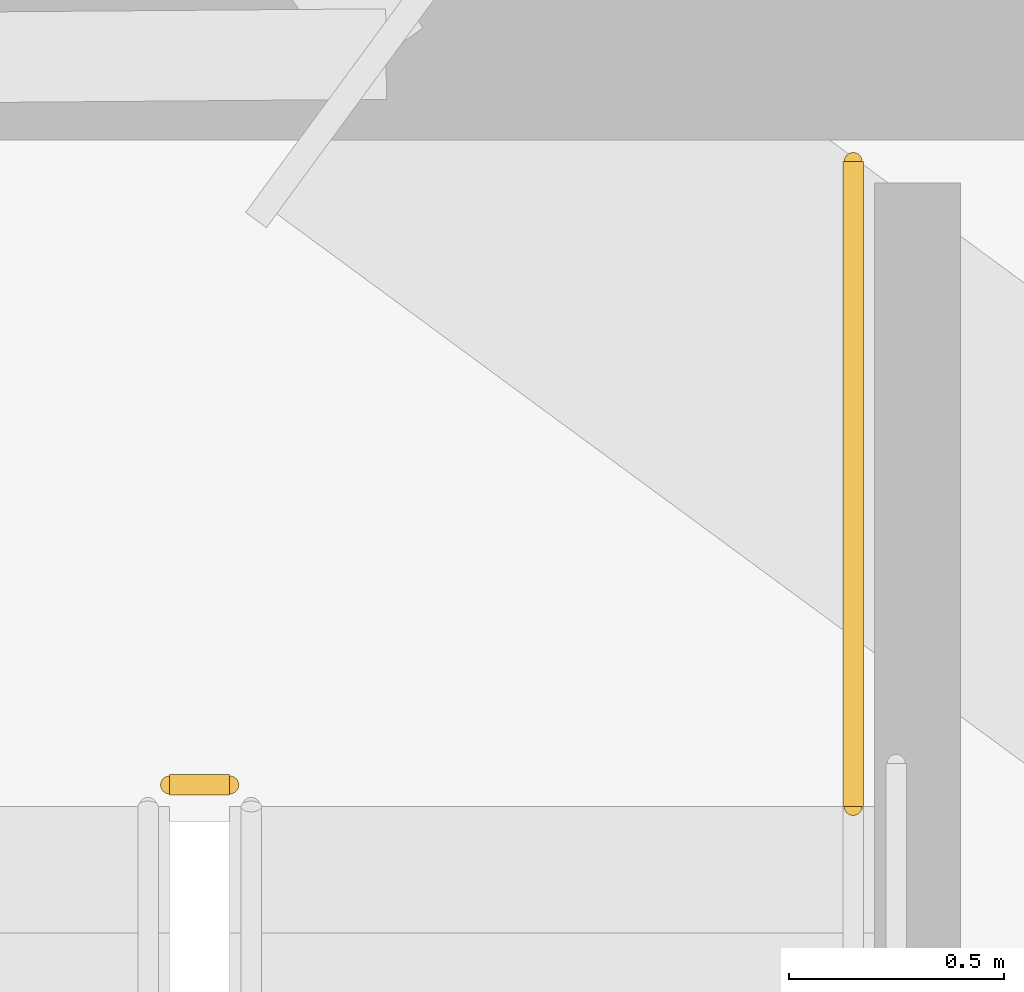
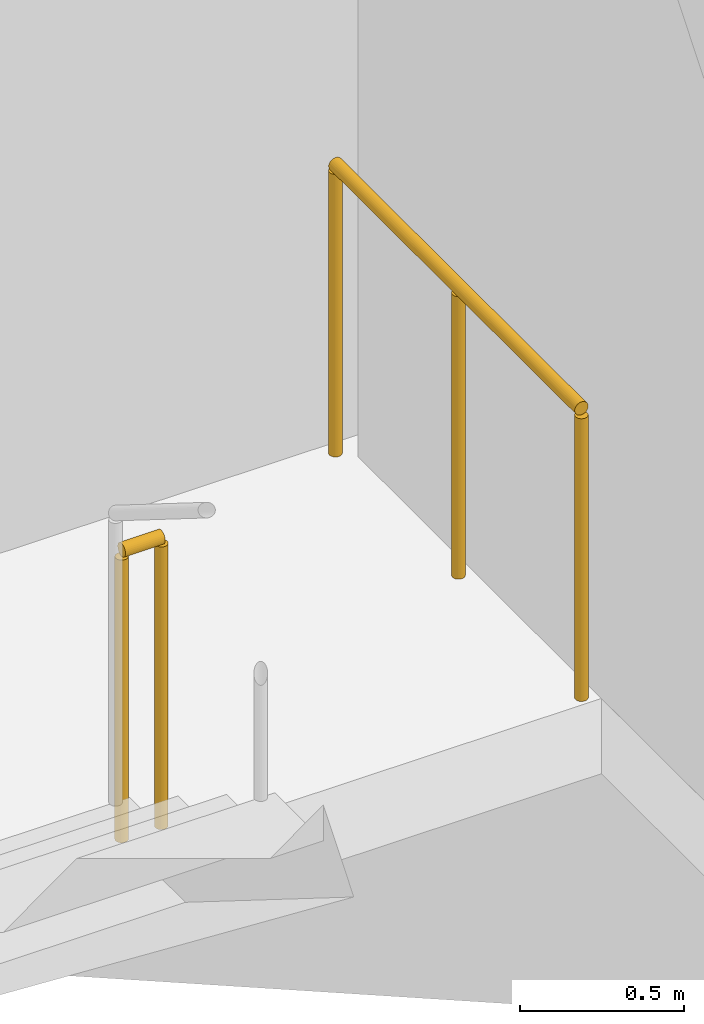
# One storey, part 28 of 28: 2 railings.
"""IFC4 building model written with IfcOpenShell, lengths in metres."""

from ifc_helpers import new_model, si_unit, direction, frame, origin, origin_2d, place, context, subcontext, project, spatial, circle, extrude, material, layer, layer_set, type_object, element, save


model = new_model("IFC4")

# Units and contexts
model_context = context("Model", 3, precision=1e-05, world=origin(), true_north=direction((0.0, 1.0)))
body_context = subcontext(model_context, "Body", "Model", "MODEL_VIEW")
ifc_project = project(units=[si_unit("LENGTHUNIT", "METRE"), si_unit("AREAUNIT", "SQUARE_METRE"), si_unit("VOLUMEUNIT", "CUBIC_METRE"), si_unit("PLANEANGLEUNIT", "RADIAN"), si_unit("MASSUNIT", "GRAM", prefix="KILO")], contexts=[model_context])

# Site, building, storey
site_placement = place(None, origin())
site = spatial("IfcSite", under=ifc_project, at=site_placement, CompositionType="ELEMENT")
building_placement = place(site_placement, origin())
building = spatial("IfcBuilding", under=site, at=building_placement, Name="Ndaravel Arena Tower", CompositionType="ELEMENT")
storey_placement = place(building_placement, frame((0.0, 0.0, 213.199951171875)))
storey = spatial("IfcBuildingStorey", under=building, at=storey_placement, Name="L51", CompositionType="ELEMENT", Elevation=213.199951171875)

# Railings
ifc_material = material(Name="Steel S355", Category="steel")
ifc_layer = layer(ifc_material, 0.06005859375)
ifc_layer_set = layer_set([ifc_layer], Name="Steel S355")
railing_type = type_object("IfcRailingType", Name="RAIL-STAIR-GD1100", PredefinedType="GUARDRAIL", material=ifc_layer_set)
railing_1_placement = place(storey_placement, frame((55.10009765625, 13.300048828125, 0.0)))
element("IfcRailing", 1, at=railing_1_placement, inside=storey, type_object=railing_type, Name="L51 ST-3 stair guard 4", PredefinedType="GUARDRAIL", context=body_context, shape_type="SweptSolid", body=[
    extrude(circle(Radius=0.02392578125, at=origin_2d()), frame((0.0, 0.0, 1.076171875), z_axis=(1.0, 0.0, 0.0), x_axis=(0.0, 1.0, 0.0)), (0.0, 0.0, 1.0), 0.139892578125),
    extrude(circle(Radius=0.02099609375, at=origin_2d()), origin(), (0.0, 0.0, 1.0), 1.052001953125),
    extrude(circle(Radius=0.02099609375, at=origin_2d()), frame((0.139892578125, 0.0, 0.0)), (0.0, 0.0, 1.0), 1.052001953125),
])
railing_2_placement = place(storey_placement, frame((56.68994140625, 14.75, 0.0)))
element("IfcRailing", 2, at=railing_2_placement, inside=storey, type_object=railing_type, Name="L51 ST-3 stair guard 5", PredefinedType="GUARDRAIL", context=body_context, shape_type="SweptSolid", body=[
    extrude(circle(Radius=0.02392578125, at=origin_2d()), frame((0.0, 0.0, 1.076171875), z_axis=(0.0, -1.0, 0.0), x_axis=(1.0, 0.0, 0.0)), (0.0, 0.0, 1.0), 1.5),
    extrude(circle(Radius=0.02099609375, at=origin_2d()), origin(), (0.0, 0.0, 1.0), 1.052001953125),
    extrude(circle(Radius=0.02099609375, at=origin_2d()), frame((0.0, -0.75, 0.0)), (0.0, 0.0, 1.0), 1.052001953125),
    extrude(circle(Radius=0.02099609375, at=origin_2d()), frame((0.0, -1.5, 0.0)), (0.0, 0.0, 1.0), 1.052001953125),
])

save(model, "model.ifc")
